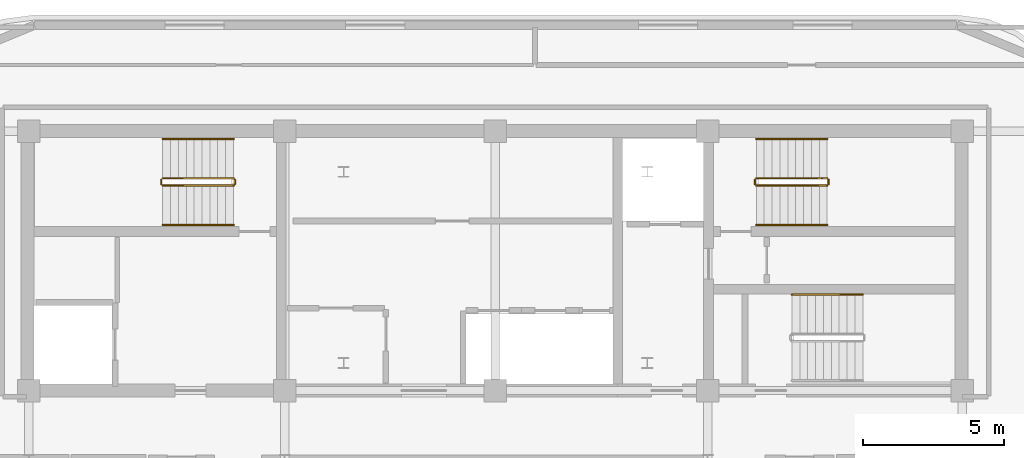
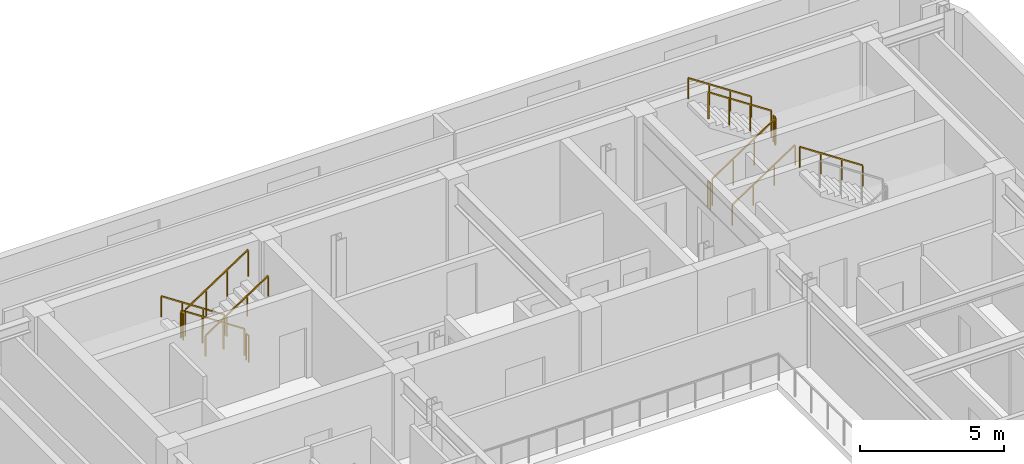
# One storey, part 14 of 14: 13 railings.
"""IFC4 building model written with IfcOpenShell, lengths in metres."""

from ifc_helpers import new_model, si_unit, direction, frame, origin, origin_2d, place, context, subcontext, project, spatial, rectangle, extrude, material, type_object, element, save


model = new_model("IFC4")

# Units and contexts
model_context = context("Model", 3, precision=1e-05, world=origin(), true_north=direction((0.0, 1.0)))
body_context = subcontext(model_context, "Body", "Model", "MODEL_VIEW")
ifc_project = project(units=[si_unit("LENGTHUNIT", "METRE"), si_unit("AREAUNIT", "SQUARE_METRE"), si_unit("VOLUMEUNIT", "CUBIC_METRE"), si_unit("PLANEANGLEUNIT", "RADIAN"), si_unit("MASSUNIT", "GRAM", prefix="KILO")], contexts=[model_context])

# Site, building, storey
site_placement = place(None, origin())
site = spatial("IfcSite", under=ifc_project, at=site_placement, CompositionType="ELEMENT")
building_placement = place(site_placement, origin())
building = spatial("IfcBuilding", under=site, at=building_placement, Name="Zarnavel Station Tower", CompositionType="ELEMENT")
storey_placement = place(building_placement, frame((0.0, 0.0, 258.39990234375)))
storey = spatial("IfcBuildingStorey", under=building, at=storey_placement, Name="L70", CompositionType="ELEMENT", Elevation=258.39990234375)

# Railings
ifc_material_1 = material(Name="Painted Steel S355J2 Balustrade", Category="steel")
railing_type_1 = type_object("IfcRailingType", Name="GR_INT_1150", PredefinedType="GUARDRAIL", material=ifc_material_1)
railing_1_placement = place(storey_placement, frame((19.47998046875, 35.3701171875, 0.18505859375)))
element("IfcRailing", 1, at=railing_1_placement, inside=storey, type_object=railing_type_1, Name="L70 ST1 stair guard 1", PredefinedType="GUARDRAIL", context=body_context, shape_type="SweptSolid", body=[
    extrude(rectangle(XDim=0.048095703125, YDim=0.048095703125, at=origin_2d()), frame((-0.001708984375, 0.0, 1.126953125), z_axis=(-0.834331337432, 0.0, 0.55126329406), x_axis=(0.0, -1.0, 0.0)), (0.0, 0.0, 1.0), 3.016357421875),
    extrude(rectangle(XDim=0.0419921875, YDim=0.0419921875, at=origin_2d()), origin(), (0.0, 0.0, 1.0), 1.101806640625),
    extrude(rectangle(XDim=0.0419921875, YDim=0.0419921875, at=origin_2d()), frame((-0.840087890625, 0.0, 0.554931640625)), (0.0, 0.0, 1.0), 1.101806640625),
    extrude(rectangle(XDim=0.0419921875, YDim=0.0419921875, at=origin_2d()), frame((-1.679931640625, 0.0, 1.110107421875)), (0.0, 0.0, 1.0), 1.101806640625),
    extrude(rectangle(XDim=0.0419921875, YDim=0.0419921875, at=origin_2d()), frame((-2.52001953125, 0.0, 1.6650390625)), (0.0, 0.0, 1.0), 1.101806640625),
])
railing_2_placement = place(storey_placement, frame((16.909912109375, 35.320068359375, 1.85009765625)))
element("IfcRailing", 2, at=railing_2_placement, inside=storey, type_object=railing_type_1, Name="L70 ST1 stair guard 2", PredefinedType="GUARDRAIL", context=body_context, shape_type="SweptSolid", body=[
    extrude(rectangle(XDim=0.048095703125, YDim=0.048095703125, at=origin_2d()), frame((0.0, -0.001953125, 1.1259765625), z_axis=(0.0, -1.0, 0.0), x_axis=(1.0, 0.0, 0.0)), (0.0, 0.0, 1.0), 0.15625),
    extrude(rectangle(XDim=0.0419921875, YDim=0.0419921875, at=origin_2d()), origin(), (0.0, 0.0, 1.0), 1.101806640625),
    extrude(rectangle(XDim=0.0419921875, YDim=0.0419921875, at=origin_2d()), frame((0.0, -0.16015625, 0.0)), (0.0, 0.0, 1.0), 1.101806640625),
])
railing_3_placement = place(storey_placement, frame((16.9599609375, 35.110107421875, 2.03515625)))
element("IfcRailing", 3, at=railing_3_placement, inside=storey, type_object=railing_type_1, Name="L70 ST1 stair guard 3", PredefinedType="GUARDRAIL", context=body_context, shape_type="SweptSolid", body=[
    extrude(rectangle(XDim=0.048095703125, YDim=0.048095703125, at=origin_2d()), frame((0.001708984375, 0.0, 1.126953125), z_axis=(0.834331337432, 0.0, 0.55126329406), x_axis=(0.0, 1.0, 0.0)), (0.0, 0.0, 1.0), 3.016357421875),
    extrude(rectangle(XDim=0.0419921875, YDim=0.0419921875, at=origin_2d()), origin(), (0.0, 0.0, 1.0), 1.101806640625),
    extrude(rectangle(XDim=0.0419921875, YDim=0.0419921875, at=origin_2d()), frame((0.840087890625, 0.0, 0.554931640625)), (0.0, 0.0, 1.0), 1.101806640625),
    extrude(rectangle(XDim=0.0419921875, YDim=0.0419921875, at=origin_2d()), frame((1.679931640625, 0.0, 1.110107421875)), (0.0, 0.0, 1.0), 1.101806640625),
    extrude(rectangle(XDim=0.0419921875, YDim=0.0419921875, at=origin_2d()), frame((2.52001953125, 0.0, 1.6650390625)), (0.0, 0.0, 1.0), 1.101806640625),
])
railing_4_placement = place(storey_placement, frame((19.530029296875, 35.320068359375, 0.0)))
element("IfcRailing", 4, at=railing_4_placement, inside=storey, type_object=railing_type_1, Name="L70 ST1 stair guard 4", PredefinedType="GUARDRAIL", context=body_context, shape_type="SweptSolid", body=[
    extrude(rectangle(XDim=0.048095703125, YDim=0.048095703125, at=origin_2d()), frame((0.0, -0.001953125, 1.1259765625), z_axis=(0.0, -1.0, 0.0), x_axis=(1.0, 0.0, 0.0)), (0.0, 0.0, 1.0), 0.15625),
    extrude(rectangle(XDim=0.0419921875, YDim=0.0419921875, at=origin_2d()), origin(), (0.0, 0.0, 1.0), 1.101806640625),
    extrude(rectangle(XDim=0.0419921875, YDim=0.0419921875, at=origin_2d()), frame((0.0, -0.16015625, 0.0)), (0.0, 0.0, 1.0), 1.101806640625),
])
railing_5_placement = place(storey_placement, frame((38.080078125, 35.110107421875, 0.18505859375)))
element("IfcRailing", 5, at=railing_5_placement, inside=storey, type_object=railing_type_1, Name="L70 ST2 stair guard 1", PredefinedType="GUARDRAIL", context=body_context, shape_type="SweptSolid", body=[
    extrude(rectangle(XDim=0.048095703125, YDim=0.048095703125, at=origin_2d()), frame((0.001708984375, 0.0, 1.126953125), z_axis=(0.834331337432, 0.0, 0.55126329406), x_axis=(0.0, 1.0, 0.0)), (0.0, 0.0, 1.0), 3.016357421875),
    extrude(rectangle(XDim=0.0419921875, YDim=0.0419921875, at=origin_2d()), origin(), (0.0, 0.0, 1.0), 1.101806640625),
    extrude(rectangle(XDim=0.0419921875, YDim=0.0419921875, at=origin_2d()), frame((0.840087890625, 0.0, 0.554931640625)), (0.0, 0.0, 1.0), 1.101806640625),
    extrude(rectangle(XDim=0.0419921875, YDim=0.0419921875, at=origin_2d()), frame((1.679931640625, 0.0, 1.110107421875)), (0.0, 0.0, 1.0), 1.101806640625),
    extrude(rectangle(XDim=0.0419921875, YDim=0.0419921875, at=origin_2d()), frame((2.52001953125, 0.0, 1.6650390625)), (0.0, 0.0, 1.0), 1.101806640625),
])
railing_6_placement = place(storey_placement, frame((40.64990234375, 35.159912109375, 1.85009765625)))
element("IfcRailing", 6, at=railing_6_placement, inside=storey, type_object=railing_type_1, Name="L70 ST2 stair guard 2", PredefinedType="GUARDRAIL", context=body_context, shape_type="SweptSolid", body=[
    extrude(rectangle(XDim=0.048095703125, YDim=0.048095703125, at=origin_2d()), frame((0.0, 0.001953125, 1.1259765625), z_axis=(0.0, 1.0, 0.0), x_axis=(-1.0, 0.0, 0.0)), (0.0, 0.0, 1.0), 0.15625),
    extrude(rectangle(XDim=0.0419921875, YDim=0.0419921875, at=origin_2d()), origin(), (0.0, 0.0, 1.0), 1.101806640625),
    extrude(rectangle(XDim=0.0419921875, YDim=0.0419921875, at=origin_2d()), frame((0.0, 0.16015625, 0.0)), (0.0, 0.0, 1.0), 1.101806640625),
])
railing_7_placement = place(storey_placement, frame((40.60009765625, 35.3701171875, 2.03515625)))
element("IfcRailing", 7, at=railing_7_placement, inside=storey, type_object=railing_type_1, Name="L70 ST2 stair guard 3", PredefinedType="GUARDRAIL", context=body_context, shape_type="SweptSolid", body=[
    extrude(rectangle(XDim=0.048095703125, YDim=0.048095703125, at=origin_2d()), frame((-0.001708984375, 0.0, 1.126953125), z_axis=(-0.834331337432, 0.0, 0.55126329406), x_axis=(0.0, -1.0, 0.0)), (0.0, 0.0, 1.0), 3.016357421875),
    extrude(rectangle(XDim=0.0419921875, YDim=0.0419921875, at=origin_2d()), origin(), (0.0, 0.0, 1.0), 1.101806640625),
    extrude(rectangle(XDim=0.0419921875, YDim=0.0419921875, at=origin_2d()), frame((-0.840087890625, 0.0, 0.554931640625)), (0.0, 0.0, 1.0), 1.101806640625),
    extrude(rectangle(XDim=0.0419921875, YDim=0.0419921875, at=origin_2d()), frame((-1.679931640625, 0.0, 1.110107421875)), (0.0, 0.0, 1.0), 1.101806640625),
    extrude(rectangle(XDim=0.0419921875, YDim=0.0419921875, at=origin_2d()), frame((-2.52001953125, 0.0, 1.6650390625)), (0.0, 0.0, 1.0), 1.101806640625),
])
railing_8_placement = place(storey_placement, frame((38.030029296875, 35.159912109375, 0.0)))
element("IfcRailing", 8, at=railing_8_placement, inside=storey, type_object=railing_type_1, Name="L70 ST2 stair guard 4", PredefinedType="GUARDRAIL", context=body_context, shape_type="SweptSolid", body=[
    extrude(rectangle(XDim=0.048095703125, YDim=0.048095703125, at=origin_2d()), frame((0.0, 0.001953125, 1.1259765625), z_axis=(0.0, 1.0, 0.0), x_axis=(-1.0, 0.0, 0.0)), (0.0, 0.0, 1.0), 0.15625),
    extrude(rectangle(XDim=0.0419921875, YDim=0.0419921875, at=origin_2d()), origin(), (0.0, 0.0, 1.0), 1.101806640625),
    extrude(rectangle(XDim=0.0419921875, YDim=0.0419921875, at=origin_2d()), frame((0.0, 0.16015625, 0.0)), (0.0, 0.0, 1.0), 1.101806640625),
])
ifc_material_2 = material(Name="Brushed Stainless Steel S355J2 Handrail", Category="steel")
railing_type_2 = type_object("IfcRailingType", Name="HR_STAIR_900", PredefinedType="HANDRAIL", material=ifc_material_2)
railing_9_placement = place(storey_placement, frame((19.47998046875, 36.77001953125, 0.18505859375)))
element("IfcRailing", 9, at=railing_9_placement, inside=storey, type_object=railing_type_2, Name="L70 ST1 stair handrail 1", PredefinedType="HANDRAIL", context=body_context, shape_type="SweptSolid", body=[
    extrude(rectangle(XDim=0.048095703125, YDim=0.048095703125, at=origin_2d()), frame((-0.001708984375, 0.0, 0.876953125), z_axis=(-0.834331337432, 0.0, 0.55126329406), x_axis=(0.0, -1.0, 0.0)), (0.0, 0.0, 1.0), 3.016357421875),
    extrude(rectangle(XDim=0.0419921875, YDim=0.0419921875, at=origin_2d()), origin(), (0.0, 0.0, 1.0), 0.851806640625),
    extrude(rectangle(XDim=0.0419921875, YDim=0.0419921875, at=origin_2d()), frame((-0.840087890625, 0.0, 0.554931640625)), (0.0, 0.0, 1.0), 0.851806640625),
    extrude(rectangle(XDim=0.0419921875, YDim=0.0419921875, at=origin_2d()), frame((-1.679931640625, 0.0, 1.110107421875)), (0.0, 0.0, 1.0), 0.851806640625),
    extrude(rectangle(XDim=0.0419921875, YDim=0.0419921875, at=origin_2d()), frame((-2.52001953125, 0.0, 1.6650390625)), (0.0, 0.0, 1.0), 0.851806640625),
])
for number, where, name in (
    (10, (16.9599609375, 33.7099609375, 2.03515625), "L70 ST1 stair handrail 2"),
    (11, (38.080078125, 33.7099609375, 0.18505859375), "L70 ST2 stair handrail 1"),
):
    element("IfcRailing", number, at=place(storey_placement, frame(where)), inside=storey, type_object=railing_type_2, Name=name, PredefinedType="HANDRAIL", context=body_context, shape_type="SweptSolid", body=[
        extrude(rectangle(XDim=0.048095703125, YDim=0.048095703125, at=origin_2d()), frame((0.001708984375, 0.0, 0.876953125), z_axis=(0.834331337432, 0.0, 0.55126329406), x_axis=(0.0, 1.0, 0.0)), (0.0, 0.0, 1.0), 3.016357421875),
        extrude(rectangle(XDim=0.0419921875, YDim=0.0419921875, at=origin_2d()), origin(), (0.0, 0.0, 1.0), 0.851806640625),
        extrude(rectangle(XDim=0.0419921875, YDim=0.0419921875, at=origin_2d()), frame((0.840087890625, 0.0, 0.554931640625)), (0.0, 0.0, 1.0), 0.851806640625),
        extrude(rectangle(XDim=0.0419921875, YDim=0.0419921875, at=origin_2d()), frame((1.679931640625, 0.0, 1.110107421875)), (0.0, 0.0, 1.0), 0.851806640625),
        extrude(rectangle(XDim=0.0419921875, YDim=0.0419921875, at=origin_2d()), frame((2.52001953125, 0.0, 1.6650390625)), (0.0, 0.0, 1.0), 0.851806640625),
    ])
for number, where, name in (
    (12, (40.60009765625, 36.77001953125, 2.03515625), "L70 ST2 stair handrail 2"),
    (13, (41.8701171875, 31.22998046875, 2.03515625), "L70 ST3 stair handrail 2"),
):
    element("IfcRailing", number, at=place(storey_placement, frame(where)), inside=storey, type_object=railing_type_2, Name=name, PredefinedType="HANDRAIL", context=body_context, shape_type="SweptSolid", body=[
        extrude(rectangle(XDim=0.048095703125, YDim=0.048095703125, at=origin_2d()), frame((-0.001708984375, 0.0, 0.876953125), z_axis=(-0.834331337432, 0.0, 0.55126329406), x_axis=(0.0, -1.0, 0.0)), (0.0, 0.0, 1.0), 3.016357421875),
        extrude(rectangle(XDim=0.0419921875, YDim=0.0419921875, at=origin_2d()), origin(), (0.0, 0.0, 1.0), 0.851806640625),
        extrude(rectangle(XDim=0.0419921875, YDim=0.0419921875, at=origin_2d()), frame((-0.840087890625, 0.0, 0.554931640625)), (0.0, 0.0, 1.0), 0.851806640625),
        extrude(rectangle(XDim=0.0419921875, YDim=0.0419921875, at=origin_2d()), frame((-1.679931640625, 0.0, 1.110107421875)), (0.0, 0.0, 1.0), 0.851806640625),
        extrude(rectangle(XDim=0.0419921875, YDim=0.0419921875, at=origin_2d()), frame((-2.52001953125, 0.0, 1.6650390625)), (0.0, 0.0, 1.0), 0.851806640625),
    ])

save(model, "model.ifc")
